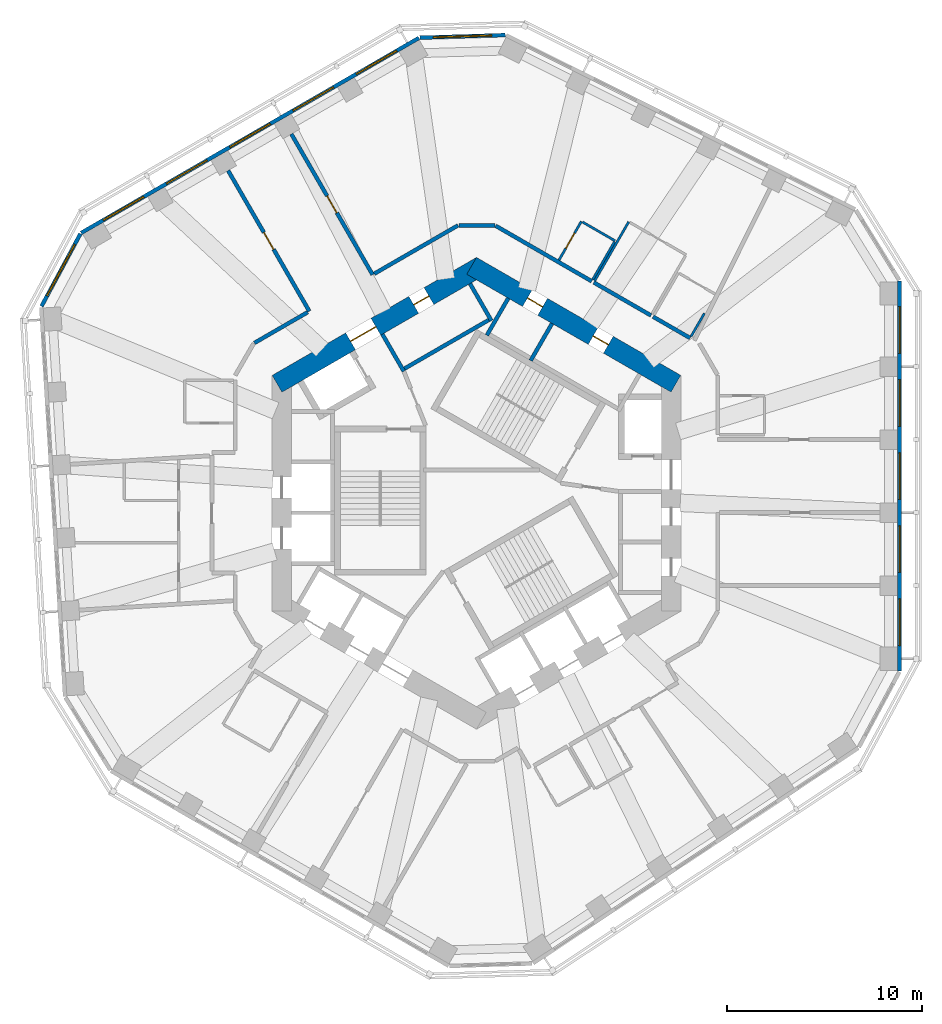
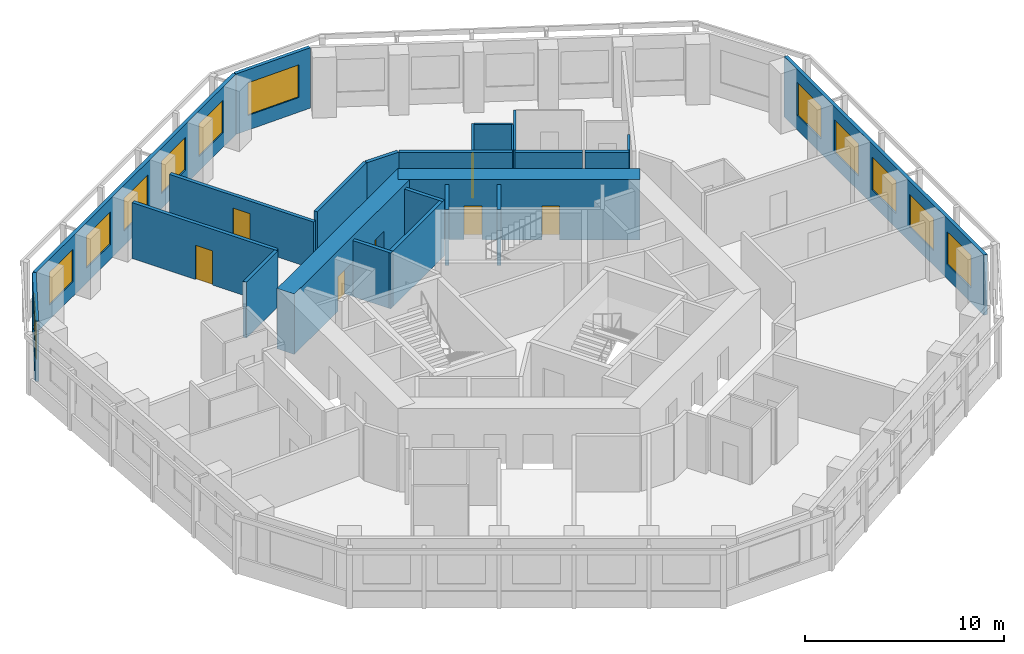
# One storey, part 7 of 11: 24 walls, 12 windows, 7 doors, 19 openings.
"""IFC4 building model written with IfcOpenShell, lengths in metres."""

from ifc_helpers import new_model, si_unit, direction, frame, frame_2d, origin, place, context, subcontext, project, spatial, rectangle, extrude, material, layer, layer_set, type_object, element, fill, save


model = new_model("IFC4")

# Units and contexts
model_context = context("Model", 3, precision=1e-05, world=origin(), true_north=direction((0.0, 1.0)))
body_context = subcontext(model_context, "Body", "Model", "MODEL_VIEW")
ifc_project = project(units=[si_unit("LENGTHUNIT", "METRE"), si_unit("AREAUNIT", "SQUARE_METRE"), si_unit("VOLUMEUNIT", "CUBIC_METRE"), si_unit("PLANEANGLEUNIT", "RADIAN"), si_unit("MASSUNIT", "GRAM", prefix="KILO")], contexts=[model_context])

# Site, building, storey
site_placement = place(None, origin())
site = spatial("IfcSite", under=ifc_project, at=site_placement, CompositionType="ELEMENT")
building_placement = place(site_placement, origin())
building = spatial("IfcBuilding", under=site, at=building_placement, Name="Vanh Sen Convention Tower", CompositionType="ELEMENT")
storey_placement = place(building_placement, frame((0.0, 0.0, 176.199951171875)))
storey = spatial("IfcBuildingStorey", under=building, at=storey_placement, Name="L43", CompositionType="ELEMENT", Elevation=176.199951171875)

# Wall, opening, door
ifc_material_1 = material(Name="Moisture-resistant gypsum board on steel studs", Category="steel")
ifc_layer_1 = layer(ifc_material_1, 0.1201171875)
ifc_layer_set_1 = layer_set([ifc_layer_1], Name="Moisture-resistant gypsum board on steel studs")
wall_type_1 = type_object("IfcWallType", Name="Bathroom partition 120", PredefinedType="PARTITIONING", material=ifc_layer_set_1)
wall_1_placement = place(storey_placement, frame((4.240234375, 11.985595703125, 0.0), z_axis=(0.0, 0.0, 1.0), x_axis=(0.499952165731, 0.866053019151, 0.0)))
wall_1 = element("IfcWall", 1, at=wall_1_placement, inside=storey, type_object=wall_type_1, Name="Bathroom partition 120", PredefinedType="PARTITIONING", context=body_context, shape_type="SweptSolid", body=[
    extrude(rectangle(XDim=2.300048828125, YDim=0.1201171875, at=frame_2d((1.14990234375, 0.0))), origin(), (0.0, 0.0, 1.0), 3.420166015625),
])
opening_1_placement = place(wall_1_placement, frame((0.699951171875, 0.0, 0.0)))
opening_1 = element("IfcOpeningElement", 2, at=opening_1_placement, cuts=wall_1, Name="Opening D41106", PredefinedType="OPENING", context=body_context, shape_type="SweptSolid", body=[
    extrude(rectangle(XDim=0.89990234375, YDim=2.10009765625, at=frame_2d((0.449951171875, 1.050048828125))), frame((0.0, 0.070068359375, 0.0), z_axis=(0.0, -1.0, 0.0), x_axis=(1.0, 0.0, 0.0)), (0.0, 0.0, 1.0), 0.14013671875),
])
ifc_material_2 = material(Name="Laminate door in steel frame", Category="steel")
door_type_1 = type_object("IfcDoorType", Name="Room internal door 900", OperationType="SINGLE_SWING_LEFT", PredefinedType="DOOR", material=ifc_material_2)
door_1_placement = place(opening_1_placement, origin())
door_1 = element("IfcDoor", 3, at=door_1_placement, inside=storey, type_object=door_type_1, Name="Internal room door D41106", OperationType="SINGLE_SWING_LEFT", OverallHeight=2.10009765625, OverallWidth=0.89990234375, PredefinedType="DOOR", context=body_context, shape_type="SweptSolid", body=[
    extrude(rectangle(XDim=0.89990234375, YDim=2.10009765625, at=frame_2d((0.449951171875, 1.050048828125))), frame((0.0, 0.02490234375, 0.0), z_axis=(0.0, -1.0, 0.0), x_axis=(1.0, 0.0, 0.0)), (0.0, 0.0, 1.0), 0.050048828125),
])
fill(opening_1, door_1)

# Walls
wall_2_placement = place(storey_placement, frame((5.442138671875, 13.947509765625, 0.0), z_axis=(0.0, 0.0, 1.0), x_axis=(0.866043088465, -0.499969367985, 0.0)))
element("IfcWall", 4, at=wall_2_placement, inside=storey, type_object=wall_type_1, Name="Bathroom partition 120", PredefinedType="PARTITIONING", context=body_context, shape_type="SweptSolid", body=[
    extrude(rectangle(XDim=1.93994140625, YDim=0.1201171875, at=frame_2d((0.969970703125, 0.0))), origin(), (0.0, 0.0, 1.0), 3.420166015625),
])
wall_3_placement = place(storey_placement, frame((6.076171875, 10.92578125, 0.0), z_axis=(0.0, 0.0, 1.0), x_axis=(0.500010275428, 0.866019471182, 0.0)))
element("IfcWall", 5, at=wall_3_placement, inside=storey, type_object=wall_type_1, Name="Bathroom partition 120", PredefinedType="PARTITIONING", context=body_context, shape_type="SweptSolid", body=[
    extrude(rectangle(XDim=3.5, YDim=0.1201171875, at=frame_2d((1.75, 0.0))), origin(), (0.0, 0.0, 1.0), 3.420166015625),
])
wall_4_placement = place(storey_placement, frame((7.09228515625, 12.925537109375, 0.0), z_axis=(0.0, 0.0, 1.0), x_axis=(-0.500030632641, -0.866007717299, 0.0)))
element("IfcWall", 6, at=wall_4_placement, inside=storey, type_object=wall_type_1, Name="Bathroom partition 120", PredefinedType="PARTITIONING", context=body_context, shape_type="SweptSolid", body=[
    extrude(rectangle(XDim=2.239990234375, YDim=0.1201171875, at=frame_2d((1.1201171875, 0.0))), origin(), (0.0, 0.0, 1.0), 3.420166015625),
])
wall_5_placement = place(storey_placement, frame((11.7138671875, 9.25048828125, 0.0), z_axis=(0.0, 0.0, 1.0), x_axis=(-0.500015945769, -0.866016197294, 0.0)))
element("IfcWall", 7, at=wall_5_placement, inside=storey, type_object=wall_type_1, Name="Bathroom partition 120", PredefinedType="PARTITIONING", context=body_context, shape_type="SweptSolid", body=[
    extrude(rectangle(XDim=1.3681640625, YDim=0.1201171875, at=frame_2d((0.68408203125, 0.0))), origin(), (0.0, 0.0, 1.0), 3.420166015625),
])

# Wall, openings, doors
ifc_material_3 = material(Name="Concrete C80/95", Category="concrete")
ifc_layer_2 = layer(ifc_material_3, 1.0)
ifc_layer_set_2 = layer_set([ifc_layer_2], Name="Concrete C80/95")
wall_type_2 = type_object("IfcWallType", Name="Core outer wall 1000 C80/95", PredefinedType="SHEAR", material=ifc_layer_set_2)
wall_6_placement = place(storey_placement, frame((10.25, 5.629150390625, 0.0), z_axis=(0.0, 0.0, 1.0), x_axis=(-0.866022616891, 0.50000482701, 0.0)))
wall_6 = element("IfcWall", 8, at=wall_6_placement, inside=storey, type_object=wall_type_2, Name="Core wall face NE L43", PredefinedType="SHEAR", context=body_context, shape_type="SweptSolid", body=[
    extrude(rectangle(XDim=12.12451171875, YDim=1.0, at=frame_2d((6.062255859375, 0.0))), origin(), (0.0, 0.0, 1.0), 3.699951171875),
])
opening_2_placement = place(wall_6_placement, frame((4.01220703125, 0.0, 0.0)))
opening_2 = element("IfcOpeningElement", 9, at=opening_2_placement, cuts=wall_6, Name="Opening D41011", PredefinedType="OPENING", context=body_context, shape_type="SweptSolid", body=[
    extrude(rectangle(XDim=0.89990234375, YDim=2.10009765625, at=frame_2d((0.449951171875, 1.050048828125))), frame((0.0, 0.510009765625, 0.0), z_axis=(0.0, -1.0, 0.0), x_axis=(1.0, 0.0, 0.0)), (0.0, 0.0, 1.0), 1.02001953125),
])
opening_3_placement = place(wall_6_placement, frame((7.912109375, 0.0, 0.0)))
opening_3 = element("IfcOpeningElement", 10, at=opening_3_placement, cuts=wall_6, Name="Opening D41012", PredefinedType="OPENING", context=body_context, shape_type="SweptSolid", body=[
    extrude(rectangle(XDim=0.89990234375, YDim=2.10009765625, at=frame_2d((0.449951171875, 1.050048828125))), frame((0.0, 0.510009765625, 0.0), z_axis=(0.0, -1.0, 0.0), x_axis=(1.0, 0.0, 0.0)), (0.0, 0.0, 1.0), 1.02001953125),
])
ifc_material_4 = material(Name="Steel S355", Category="steel")
door_type_2 = type_object("IfcDoorType", Name="Plant door 900", OperationType="SINGLE_SWING_LEFT", PredefinedType="DOOR", material=ifc_material_4)
door_2_placement = place(opening_2_placement, origin())
door_2 = element("IfcDoor", 11, at=door_2_placement, inside=storey, type_object=door_type_2, Name="Plant door D41011", OperationType="SINGLE_SWING_LEFT", OverallHeight=2.10009765625, OverallWidth=0.89990234375, PredefinedType="DOOR", context=body_context, shape_type="SweptSolid", body=[
    extrude(rectangle(XDim=0.89990234375, YDim=2.10009765625, at=frame_2d((0.449951171875, 1.050048828125))), frame((0.0, 0.02490234375, 0.0), z_axis=(0.0, -1.0, 0.0), x_axis=(1.0, 0.0, 0.0)), (0.0, 0.0, 1.0), 0.050048828125),
])
fill(opening_2, door_2)
door_3_placement = place(opening_3_placement, origin())
door_3 = element("IfcDoor", 12, at=door_3_placement, inside=storey, type_object=door_type_2, Name="Plant door D41012", OperationType="SINGLE_SWING_LEFT", OverallHeight=2.10009765625, OverallWidth=0.89990234375, PredefinedType="DOOR", context=body_context, shape_type="SweptSolid", body=[
    extrude(rectangle(XDim=0.89990234375, YDim=2.10009765625, at=frame_2d((0.449951171875, 1.050048828125))), frame((0.0, 0.02490234375, 0.0), z_axis=(0.0, -1.0, 0.0), x_axis=(1.0, 0.0, 0.0)), (0.0, 0.0, 1.0), 0.050048828125),
])
fill(opening_3, door_3)

wall_7_placement = place(storey_placement, frame((0.25, 11.69140625, 0.0), z_axis=(0.0, 0.0, 1.0), x_axis=(-0.866022616891, -0.50000482701, 0.0)))
wall_7 = element("IfcWall", 13, at=wall_7_placement, inside=storey, type_object=wall_type_2, Name="Core wall face NW L43", PredefinedType="SHEAR", context=body_context, shape_type="SweptSolid", body=[
    extrude(rectangle(XDim=12.12451171875, YDim=1.0, at=frame_2d((6.062255859375, 0.0))), origin(), (0.0, 0.0, 1.0), 3.699951171875),
])
opening_4_placement = place(wall_7_placement, frame((6.26220703125, 0.0, 0.0)))
opening_4 = element("IfcOpeningElement", 14, at=opening_4_placement, cuts=wall_7, Name="Opening D41002", PredefinedType="OPENING", context=body_context, shape_type="SweptSolid", body=[
    extrude(rectangle(XDim=1.5, YDim=2.10009765625, at=frame_2d((0.75, 1.050048828125))), frame((0.0, 0.510009765625, 0.0), z_axis=(0.0, -1.0, 0.0), x_axis=(1.0, 0.0, 0.0)), (0.0, 0.0, 1.0), 1.02001953125),
])
opening_5_placement = place(wall_7_placement, frame((3.1123046875, 0.0, 0.0)))
opening_5 = element("IfcOpeningElement", 15, at=opening_5_placement, cuts=wall_7, Name="Opening D41013", PredefinedType="OPENING", context=body_context, shape_type="SweptSolid", body=[
    extrude(rectangle(XDim=0.89990234375, YDim=2.10009765625, at=frame_2d((0.449951171875, 1.050048828125))), frame((0.0, 0.510009765625, 0.0), z_axis=(0.0, -1.0, 0.0), x_axis=(1.0, 0.0, 0.0)), (0.0, 0.0, 1.0), 1.02001953125),
])
door_4_placement = place(opening_5_placement, origin())
door_4 = element("IfcDoor", 16, at=door_4_placement, inside=storey, type_object=door_type_2, Name="Plant door D41013", OperationType="SINGLE_SWING_LEFT", OverallHeight=2.10009765625, OverallWidth=0.89990234375, PredefinedType="DOOR", context=body_context, shape_type="SweptSolid", body=[
    extrude(rectangle(XDim=0.89990234375, YDim=2.10009765625, at=frame_2d((0.449951171875, 1.050048828125))), frame((0.0, 0.02490234375, 0.0), z_axis=(0.0, -1.0, 0.0), x_axis=(1.0, 0.0, 0.0)), (0.0, 0.0, 1.0), 0.050048828125),
])
fill(opening_5, door_4)
door_type_3 = type_object("IfcDoorType", Name="Stair lobby door 1500", OperationType="DOUBLE_DOOR_SINGLE_SWING", PredefinedType="DOOR", material=ifc_material_4)
door_5_placement = place(opening_4_placement, origin())
door_5 = element("IfcDoor", 17, at=door_5_placement, inside=storey, type_object=door_type_3, Name="Stair lobby door D41002", OperationType="DOUBLE_DOOR_SINGLE_SWING", OverallHeight=2.10009765625, OverallWidth=1.5, PredefinedType="DOOR", context=body_context, shape_type="SweptSolid", body=[
    extrude(rectangle(XDim=1.5, YDim=2.10009765625, at=frame_2d((0.75, 1.050048828125))), frame((0.0, 0.02490234375, 0.0), z_axis=(0.0, -1.0, 0.0), x_axis=(1.0, 0.0, 0.0)), (0.0, 0.0, 1.0), 0.050048828125),
])
fill(opening_4, door_5)

# Wall, opening, door
ifc_material_5 = material(Name="Gypsum board on steel studs with mineral wool", Category="steel")
ifc_layer_3 = layer(ifc_material_5, 0.199951171875)
ifc_layer_set_3 = layer_set([ifc_layer_3], Name="Gypsum board on steel studs with mineral wool")
wall_type_3 = type_object("IfcWallType", Name="Corridor partition wall 200", PredefinedType="PARTITIONING", material=ifc_layer_set_3)
wall_8_placement = place(storey_placement, frame((-12.766357421875, 16.58935546875, 0.0), z_axis=(0.0, 0.0, 1.0), x_axis=(0.500010139422, -0.866019549707, 0.0)))
wall_8 = element("IfcWall", 18, at=wall_8_placement, inside=storey, type_object=wall_type_3, Name="Corridor partition wall 200", PredefinedType="PARTITIONING", context=body_context, shape_type="SweptSolid", body=[
    extrude(rectangle(XDim=8.349853515625, YDim=0.199951171875, at=frame_2d((4.1748046875, 0.0))), origin(), (0.0, 0.0, 1.0), 3.420166015625),
])
opening_6_placement = place(wall_8_placement, frame((3.675048828125, 0.0, 0.0)))
opening_6 = element("IfcOpeningElement", 19, at=opening_6_placement, cuts=wall_8, Name="Opening D41107", PredefinedType="OPENING", context=body_context, shape_type="SweptSolid", body=[
    extrude(rectangle(XDim=1.0, YDim=2.10009765625, at=frame_2d((0.5, 1.050048828125))), frame((0.0, 0.10986328125, 0.0), z_axis=(0.0, -1.0, 0.0), x_axis=(1.0, 0.0, 0.0)), (0.0, 0.0, 1.0), 0.219970703125),
])
ifc_material_6 = material(Name="Glazed fire door in steel frame", Category="steel")
door_type_4 = type_object("IfcDoorType", Name="Tenant entrance door 1000", OperationType="SINGLE_SWING_LEFT", PredefinedType="DOOR", material=ifc_material_6)
door_6_placement = place(opening_6_placement, origin())
door_6 = element("IfcDoor", 20, at=door_6_placement, inside=storey, type_object=door_type_4, Name="Tenant suite entrance door D41107", OperationType="SINGLE_SWING_LEFT", OverallHeight=2.10009765625, OverallWidth=1.0, PredefinedType="DOOR", context=body_context, shape_type="SweptSolid", body=[
    extrude(rectangle(XDim=1.0, YDim=2.10009765625, at=frame_2d((0.5, 1.050048828125))), frame((0.0, 0.02490234375, 0.0), z_axis=(0.0, -1.0, 0.0), x_axis=(1.0, 0.0, 0.0)), (0.0, 0.0, 1.0), 0.050048828125),
])
fill(opening_6, door_6)

wall_9_placement = place(storey_placement, frame((-9.51513671875, 18.46630859375, 0.0), z_axis=(0.0, 0.0, 1.0), x_axis=(0.500010139422, -0.866019549707, 0.0)))
wall_9 = element("IfcWall", 21, at=wall_9_placement, inside=storey, type_object=wall_type_3, Name="Corridor partition wall 200", PredefinedType="PARTITIONING", context=body_context, shape_type="SweptSolid", body=[
    extrude(rectangle(XDim=8.349853515625, YDim=0.199951171875, at=frame_2d((4.1748046875, 0.0))), origin(), (0.0, 0.0, 1.0), 2.8701171875),
])
opening_7_placement = place(wall_9_placement, frame((3.675048828125, 0.0, 0.0)))
opening_7 = element("IfcOpeningElement", 22, at=opening_7_placement, cuts=wall_9, Name="Opening D41103", PredefinedType="OPENING", context=body_context, shape_type="SweptSolid", body=[
    extrude(rectangle(XDim=1.0, YDim=2.10009765625, at=frame_2d((0.5, 1.050048828125))), frame((0.0, 0.10986328125, 0.0), z_axis=(0.0, -1.0, 0.0), x_axis=(1.0, 0.0, 0.0)), (0.0, 0.0, 1.0), 0.219970703125),
])
door_7_placement = place(opening_7_placement, origin())
door_7 = element("IfcDoor", 23, at=door_7_placement, inside=storey, type_object=door_type_4, Name="Tenant suite entrance door D41103", OperationType="SINGLE_SWING_LEFT", OverallHeight=2.10009765625, OverallWidth=1.0, PredefinedType="DOOR", context=body_context, shape_type="SweptSolid", body=[
    extrude(rectangle(XDim=1.0, YDim=2.10009765625, at=frame_2d((0.5, 1.050048828125))), frame((0.0, 0.02490234375, 0.0), z_axis=(0.0, -1.0, 0.0), x_axis=(1.0, 0.0, 0.0)), (0.0, 0.0, 1.0), 0.050048828125),
])
fill(opening_7, door_7)

# Walls
wall_10_placement = place(storey_placement, frame((-8.677978515625, 9.30810546875, 0.0), z_axis=(0.0, 0.0, 1.0), x_axis=(-0.866000359435, -0.500043375578, 0.0)))
element("IfcWall", 24, at=wall_10_placement, inside=storey, type_object=wall_type_3, Name="Corridor partition wall 200", PredefinedType="PARTITIONING", context=body_context, shape_type="SweptSolid", body=[
    extrude(rectangle(XDim=3.160888671875, YDim=0.199951171875, at=frame_2d((1.58056640625, 0.0))), origin(), (0.0, 0.0, 1.0), 3.420166015625),
])
wall_11_placement = place(storey_placement, frame((-0.949951171875, 13.769775390625, 0.0), z_axis=(0.0, 0.0, 1.0), x_axis=(-0.866036689987, -0.499980451214, 0.0)))
element("IfcWall", 25, at=wall_11_placement, inside=storey, type_object=wall_type_3, Name="Corridor partition wall 200", PredefinedType="PARTITIONING", context=body_context, shape_type="SweptSolid", body=[
    extrude(rectangle(XDim=4.969482421875, YDim=0.199951171875, at=frame_2d((2.48486328125, 0.0))), origin(), (0.0, 0.0, 1.0), 3.420166015625),
])
wall_12_placement = place(storey_placement, frame((0.949951171875, 13.769775390625, 0.0), z_axis=(0.0, 0.0, 1.0), x_axis=(-1.0, 0.0, 0.0)))
element("IfcWall", 26, at=wall_12_placement, inside=storey, type_object=wall_type_3, Name="Corridor partition wall 200", PredefinedType="PARTITIONING", context=body_context, shape_type="SweptSolid", body=[
    extrude(rectangle(XDim=1.85986328125, YDim=0.199951171875, at=frame_2d((0.929931640625, 0.0))), origin(), (0.0, 0.0, 1.0), 3.420166015625),
])
wall_13_placement = place(storey_placement, frame((5.922119140625, 10.899169921875, 0.0), z_axis=(0.0, 0.0, 1.0), x_axis=(-0.866031556924, 0.499989342298, 0.0)))
element("IfcWall", 27, at=wall_13_placement, inside=storey, type_object=wall_type_3, Name="Corridor partition wall 200", PredefinedType="PARTITIONING", context=body_context, shape_type="SweptSolid", body=[
    extrude(rectangle(XDim=5.701171875, YDim=0.199951171875, at=frame_2d((2.8505859375, 0.0))), origin(), (0.0, 0.0, 1.0), 3.420166015625),
])
wall_14_placement = place(storey_placement, frame((8.970703125, 9.13916015625, 0.0), z_axis=(0.0, 0.0, 1.0), x_axis=(-0.866038511948, 0.499977295307, 0.0)))
element("IfcWall", 28, at=wall_14_placement, inside=storey, type_object=wall_type_3, Name="Corridor partition wall 200", PredefinedType="PARTITIONING", context=body_context, shape_type="SweptSolid", body=[
    extrude(rectangle(XDim=3.400146484375, YDim=0.199951171875, at=frame_2d((1.7001953125, 0.0))), origin(), (0.0, 0.0, 1.0), 3.420166015625),
])
wall_15_placement = place(storey_placement, frame((10.979736328125, 7.97900390625, 0.0), z_axis=(0.0, 0.0, 1.0), x_axis=(-0.866008176907, 0.50002983664, 0.0)))
element("IfcWall", 29, at=wall_15_placement, inside=storey, type_object=wall_type_3, Name="Corridor partition wall 200", PredefinedType="PARTITIONING", context=body_context, shape_type="SweptSolid", body=[
    extrude(rectangle(XDim=2.199951171875, YDim=0.199951171875, at=frame_2d((1.10009765625, 0.0))), origin(), (0.0, 0.0, 1.0), 3.420166015625),
])

# Wall, openings, windows
ifc_material_7 = material(Name="Insulated lightweight infill wall")
ifc_layer_4 = layer(ifc_material_7, 0.199951171875)
ifc_layer_set_4 = layer_set([ifc_layer_4], Name="Insulated lightweight infill wall")
wall_type_4 = type_object("IfcWallType", Name="External wall 200", PredefinedType="STANDARD", material=ifc_layer_set_4)
wall_16_placement = place(storey_placement, frame((21.75, -9.138427734375, 0.0), z_axis=(0.0, 0.0, 1.0), x_axis=(0.0, 1.0, 0.0)))
wall_16 = element("IfcWall", 30, at=wall_16_placement, inside=storey, type_object=wall_type_4, Name="External wall E L43", PredefinedType="STANDARD", context=body_context, shape_type="SweptSolid", body=[
    extrude(rectangle(XDim=20.043701171875, YDim=0.199951171875, at=frame_2d((10.02197265625, 0.0))), origin(), (0.0, 0.0, 1.0), 3.699951171875),
])
opening_8_placement = place(wall_16_placement, frame((1.314453125, 0.0, 0.89990234375)))
opening_8 = element("IfcOpeningElement", 31, at=opening_8_placement, cuts=wall_16, Name="Opening WO1-E1", PredefinedType="OPENING", context=body_context, shape_type="SweptSolid", body=[
    extrude(rectangle(XDim=2.39990234375, YDim=2.0, at=frame_2d((1.199951171875, 1.0))), frame((0.0, 0.10986328125, 0.0), z_axis=(0.0, -1.0, 0.0), x_axis=(1.0, 0.0, 0.0)), (0.0, 0.0, 1.0), 0.219970703125),
])
opening_9_placement = place(wall_16_placement, frame((5.068603515625, 0.0, 0.89990234375)))
opening_9 = element("IfcOpeningElement", 32, at=opening_9_placement, cuts=wall_16, Name="Opening WO1-E2", PredefinedType="OPENING", context=body_context, shape_type="SweptSolid", body=[
    extrude(rectangle(XDim=2.39990234375, YDim=2.0, at=frame_2d((1.199951171875, 1.0))), frame((0.0, 0.10986328125, 0.0), z_axis=(0.0, -1.0, 0.0), x_axis=(1.0, 0.0, 0.0)), (0.0, 0.0, 1.0), 0.219970703125),
])
opening_10_placement = place(wall_16_placement, frame((8.82275390625, 0.0, 0.89990234375)))
opening_10 = element("IfcOpeningElement", 33, at=opening_10_placement, cuts=wall_16, Name="Opening WO1-E3", PredefinedType="OPENING", context=body_context, shape_type="SweptSolid", body=[
    extrude(rectangle(XDim=2.39990234375, YDim=2.0, at=frame_2d((1.199951171875, 1.0))), frame((0.0, 0.10986328125, 0.0), z_axis=(0.0, -1.0, 0.0), x_axis=(1.0, 0.0, 0.0)), (0.0, 0.0, 1.0), 0.219970703125),
])
opening_11_placement = place(wall_16_placement, frame((12.576904296875, 0.0, 0.89990234375)))
opening_11 = element("IfcOpeningElement", 34, at=opening_11_placement, cuts=wall_16, Name="Opening WO1-E4", PredefinedType="OPENING", context=body_context, shape_type="SweptSolid", body=[
    extrude(rectangle(XDim=2.39990234375, YDim=2.0, at=frame_2d((1.199951171875, 1.0))), frame((0.0, 0.10986328125, 0.0), z_axis=(0.0, -1.0, 0.0), x_axis=(1.0, 0.0, 0.0)), (0.0, 0.0, 1.0), 0.219970703125),
])
opening_12_placement = place(wall_16_placement, frame((16.330810546875, 0.0, 0.89990234375)))
opening_12 = element("IfcOpeningElement", 35, at=opening_12_placement, cuts=wall_16, Name="Opening WO1-E5", PredefinedType="OPENING", context=body_context, shape_type="SweptSolid", body=[
    extrude(rectangle(XDim=2.39990234375, YDim=2.0, at=frame_2d((1.199951171875, 1.0))), frame((0.0, 0.10986328125, 0.0), z_axis=(0.0, -1.0, 0.0), x_axis=(1.0, 0.0, 0.0)), (0.0, 0.0, 1.0), 0.219970703125),
])
ifc_material_8 = material(Name="Aluminium frame with clear low-emissivity glass", Category="aluminium")
window_type_1 = type_object("IfcWindowType", Name="Office window 2400 x 2000", PartitioningType="SINGLE_PANEL", PredefinedType="WINDOW", material=ifc_material_8)
window_1_placement = place(opening_8_placement, origin())
window_1 = element("IfcWindow", 36, at=window_1_placement, inside=storey, type_object=window_type_1, Name="Window WO1-E1", OverallHeight=2.0, OverallWidth=2.39990234375, PartitioningType="SINGLE_PANEL", PredefinedType="WINDOW", context=body_context, shape_type="SweptSolid", body=[
    extrude(rectangle(XDim=2.39990234375, YDim=2.0, at=frame_2d((1.199951171875, 1.0))), frame((0.0, 0.030029296875, 0.0), z_axis=(0.0, -1.0, 0.0), x_axis=(1.0, 0.0, 0.0)), (0.0, 0.0, 1.0), 0.06005859375),
])
fill(opening_8, window_1)
window_2_placement = place(opening_9_placement, origin())
window_2 = element("IfcWindow", 37, at=window_2_placement, inside=storey, type_object=window_type_1, Name="Window WO1-E2", OverallHeight=2.0, OverallWidth=2.39990234375, PartitioningType="SINGLE_PANEL", PredefinedType="WINDOW", context=body_context, shape_type="SweptSolid", body=[
    extrude(rectangle(XDim=2.39990234375, YDim=2.0, at=frame_2d((1.199951171875, 1.0))), frame((0.0, 0.030029296875, 0.0), z_axis=(0.0, -1.0, 0.0), x_axis=(1.0, 0.0, 0.0)), (0.0, 0.0, 1.0), 0.06005859375),
])
fill(opening_9, window_2)
window_3_placement = place(opening_10_placement, origin())
window_3 = element("IfcWindow", 38, at=window_3_placement, inside=storey, type_object=window_type_1, Name="Window WO1-E3", OverallHeight=2.0, OverallWidth=2.39990234375, PartitioningType="SINGLE_PANEL", PredefinedType="WINDOW", context=body_context, shape_type="SweptSolid", body=[
    extrude(rectangle(XDim=2.39990234375, YDim=2.0, at=frame_2d((1.199951171875, 1.0))), frame((0.0, 0.030029296875, 0.0), z_axis=(0.0, -1.0, 0.0), x_axis=(1.0, 0.0, 0.0)), (0.0, 0.0, 1.0), 0.06005859375),
])
fill(opening_10, window_3)
window_4_placement = place(opening_11_placement, origin())
window_4 = element("IfcWindow", 39, at=window_4_placement, inside=storey, type_object=window_type_1, Name="Window WO1-E4", OverallHeight=2.0, OverallWidth=2.39990234375, PartitioningType="SINGLE_PANEL", PredefinedType="WINDOW", context=body_context, shape_type="SweptSolid", body=[
    extrude(rectangle(XDim=2.39990234375, YDim=2.0, at=frame_2d((1.199951171875, 1.0))), frame((0.0, 0.030029296875, 0.0), z_axis=(0.0, -1.0, 0.0), x_axis=(1.0, 0.0, 0.0)), (0.0, 0.0, 1.0), 0.06005859375),
])
fill(opening_11, window_4)
window_5_placement = place(opening_12_placement, origin())
window_5 = element("IfcWindow", 40, at=window_5_placement, inside=storey, type_object=window_type_1, Name="Window WO1-E5", OverallHeight=2.0, OverallWidth=2.39990234375, PartitioningType="SINGLE_PANEL", PredefinedType="WINDOW", context=body_context, shape_type="SweptSolid", body=[
    extrude(rectangle(XDim=2.39990234375, YDim=2.0, at=frame_2d((1.199951171875, 1.0))), frame((0.0, 0.030029296875, 0.0), z_axis=(0.0, -1.0, 0.0), x_axis=(1.0, 0.0, 0.0)), (0.0, 0.0, 1.0), 0.06005859375),
])
fill(opening_12, window_5)

# Wall, opening, window
wall_17_placement = place(storey_placement, frame((1.478759765625, 23.552734375, 0.0), z_axis=(0.0, 0.0, 1.0), x_axis=(-0.999534786117, -0.03049936625, 0.0)))
wall_17 = element("IfcWall", 41, at=wall_17_placement, inside=storey, type_object=wall_type_4, Name="External wall CH2 L43", PredefinedType="STANDARD", context=body_context, shape_type="SweptSolid", body=[
    extrude(rectangle(XDim=4.39453125, YDim=0.199951171875, at=frame_2d((2.197265625, 0.0))), origin(), (0.0, 0.0, 1.0), 3.699951171875),
])
opening_13_placement = place(wall_17_placement, frame((0.697509765625, 0.0, 0.89990234375)))
opening_13 = element("IfcOpeningElement", 42, at=opening_13_placement, cuts=wall_17, Name="Opening WO2-CH21", PredefinedType="OPENING", context=body_context, shape_type="SweptSolid", body=[
    extrude(rectangle(XDim=3.0, YDim=2.0, at=frame_2d((1.5, 1.0))), frame((0.0, 0.10986328125, 0.0), z_axis=(0.0, -1.0, 0.0), x_axis=(1.0, 0.0, 0.0)), (0.0, 0.0, 1.0), 0.219970703125),
])
window_type_2 = type_object("IfcWindowType", Name="Office window 3000 x 2000", PartitioningType="SINGLE_PANEL", PredefinedType="WINDOW", material=ifc_material_8)
window_6_placement = place(opening_13_placement, origin())
window_6 = element("IfcWindow", 43, at=window_6_placement, inside=storey, type_object=window_type_2, Name="Window WO2-CH21", OverallHeight=2.0, OverallWidth=3.0, PartitioningType="SINGLE_PANEL", PredefinedType="WINDOW", context=body_context, shape_type="SweptSolid", body=[
    extrude(rectangle(XDim=3.0, YDim=2.0, at=frame_2d((1.5, 1.0))), frame((0.0, 0.030029296875, 0.0), z_axis=(0.0, -1.0, 0.0), x_axis=(1.0, 0.0, 0.0)), (0.0, 0.0, 1.0), 0.06005859375),
])
fill(opening_13, window_6)

# Wall, openings, windows
wall_18_placement = place(storey_placement, frame((-2.9609375, 23.4052734375, 0.0), z_axis=(0.0, 0.0, 1.0), x_axis=(-0.866023315909, -0.500003616288, 0.0)))
wall_18 = element("IfcWall", 44, at=wall_18_placement, inside=storey, type_object=wall_type_4, Name="External wall NW L43", PredefinedType="STANDARD", context=body_context, shape_type="SweptSolid", body=[
    extrude(rectangle(XDim=20.043701171875, YDim=0.199951171875, at=frame_2d((10.02197265625, 0.0))), origin(), (0.0, 0.0, 1.0), 3.699951171875),
])
opening_14_placement = place(wall_18_placement, frame((1.314453125, 0.0, 0.89990234375)))
opening_14 = element("IfcOpeningElement", 45, at=opening_14_placement, cuts=wall_18, Name="Opening WO1-NW1", PredefinedType="OPENING", context=body_context, shape_type="SweptSolid", body=[
    extrude(rectangle(XDim=2.39990234375, YDim=2.0, at=frame_2d((1.199951171875, 1.0))), frame((0.0, 0.10986328125, 0.0), z_axis=(0.0, -1.0, 0.0), x_axis=(1.0, 0.0, 0.0)), (0.0, 0.0, 1.0), 0.219970703125),
])
opening_15_placement = place(wall_18_placement, frame((5.068603515625, 0.0, 0.89990234375)))
opening_15 = element("IfcOpeningElement", 46, at=opening_15_placement, cuts=wall_18, Name="Opening WO1-NW2", PredefinedType="OPENING", context=body_context, shape_type="SweptSolid", body=[
    extrude(rectangle(XDim=2.39990234375, YDim=2.0, at=frame_2d((1.199951171875, 1.0))), frame((0.0, 0.10986328125, 0.0), z_axis=(0.0, -1.0, 0.0), x_axis=(1.0, 0.0, 0.0)), (0.0, 0.0, 1.0), 0.219970703125),
])
opening_16_placement = place(wall_18_placement, frame((8.82275390625, 0.0, 0.89990234375)))
opening_16 = element("IfcOpeningElement", 47, at=opening_16_placement, cuts=wall_18, Name="Opening WO1-NW3", PredefinedType="OPENING", context=body_context, shape_type="SweptSolid", body=[
    extrude(rectangle(XDim=2.39990234375, YDim=2.0, at=frame_2d((1.199951171875, 1.0))), frame((0.0, 0.10986328125, 0.0), z_axis=(0.0, -1.0, 0.0), x_axis=(1.0, 0.0, 0.0)), (0.0, 0.0, 1.0), 0.219970703125),
])
opening_17_placement = place(wall_18_placement, frame((12.576904296875, 0.0, 0.89990234375)))
opening_17 = element("IfcOpeningElement", 48, at=opening_17_placement, cuts=wall_18, Name="Opening WO1-NW4", PredefinedType="OPENING", context=body_context, shape_type="SweptSolid", body=[
    extrude(rectangle(XDim=2.39990234375, YDim=2.0, at=frame_2d((1.199951171875, 1.0))), frame((0.0, 0.10986328125, 0.0), z_axis=(0.0, -1.0, 0.0), x_axis=(1.0, 0.0, 0.0)), (0.0, 0.0, 1.0), 0.219970703125),
])
opening_18_placement = place(wall_18_placement, frame((16.330810546875, 0.0, 0.89990234375)))
opening_18 = element("IfcOpeningElement", 49, at=opening_18_placement, cuts=wall_18, Name="Opening WO1-NW5", PredefinedType="OPENING", context=body_context, shape_type="SweptSolid", body=[
    extrude(rectangle(XDim=2.39990234375, YDim=2.0, at=frame_2d((1.199951171875, 1.0))), frame((0.0, 0.10986328125, 0.0), z_axis=(0.0, -1.0, 0.0), x_axis=(1.0, 0.0, 0.0)), (0.0, 0.0, 1.0), 0.219970703125),
])
window_7_placement = place(opening_14_placement, origin())
window_7 = element("IfcWindow", 50, at=window_7_placement, inside=storey, type_object=window_type_1, Name="Window WO1-NW1", OverallHeight=2.0, OverallWidth=2.39990234375, PartitioningType="SINGLE_PANEL", PredefinedType="WINDOW", context=body_context, shape_type="SweptSolid", body=[
    extrude(rectangle(XDim=2.39990234375, YDim=2.0, at=frame_2d((1.199951171875, 1.0))), frame((0.0, 0.030029296875, 0.0), z_axis=(0.0, -1.0, 0.0), x_axis=(1.0, 0.0, 0.0)), (0.0, 0.0, 1.0), 0.06005859375),
])
fill(opening_14, window_7)
window_8_placement = place(opening_15_placement, origin())
window_8 = element("IfcWindow", 51, at=window_8_placement, inside=storey, type_object=window_type_1, Name="Window WO1-NW2", OverallHeight=2.0, OverallWidth=2.39990234375, PartitioningType="SINGLE_PANEL", PredefinedType="WINDOW", context=body_context, shape_type="SweptSolid", body=[
    extrude(rectangle(XDim=2.39990234375, YDim=2.0, at=frame_2d((1.199951171875, 1.0))), frame((0.0, 0.030029296875, 0.0), z_axis=(0.0, -1.0, 0.0), x_axis=(1.0, 0.0, 0.0)), (0.0, 0.0, 1.0), 0.06005859375),
])
fill(opening_15, window_8)
window_9_placement = place(opening_16_placement, origin())
window_9 = element("IfcWindow", 52, at=window_9_placement, inside=storey, type_object=window_type_1, Name="Window WO1-NW3", OverallHeight=2.0, OverallWidth=2.39990234375, PartitioningType="SINGLE_PANEL", PredefinedType="WINDOW", context=body_context, shape_type="SweptSolid", body=[
    extrude(rectangle(XDim=2.39990234375, YDim=2.0, at=frame_2d((1.199951171875, 1.0))), frame((0.0, 0.030029296875, 0.0), z_axis=(0.0, -1.0, 0.0), x_axis=(1.0, 0.0, 0.0)), (0.0, 0.0, 1.0), 0.06005859375),
])
fill(opening_16, window_9)
window_10_placement = place(opening_17_placement, origin())
window_10 = element("IfcWindow", 53, at=window_10_placement, inside=storey, type_object=window_type_1, Name="Window WO1-NW4", OverallHeight=2.0, OverallWidth=2.39990234375, PartitioningType="SINGLE_PANEL", PredefinedType="WINDOW", context=body_context, shape_type="SweptSolid", body=[
    extrude(rectangle(XDim=2.39990234375, YDim=2.0, at=frame_2d((1.199951171875, 1.0))), frame((0.0, 0.030029296875, 0.0), z_axis=(0.0, -1.0, 0.0), x_axis=(1.0, 0.0, 0.0)), (0.0, 0.0, 1.0), 0.06005859375),
])
fill(opening_17, window_10)
window_11_placement = place(opening_18_placement, origin())
window_11 = element("IfcWindow", 54, at=window_11_placement, inside=storey, type_object=window_type_1, Name="Window WO1-NW5", OverallHeight=2.0, OverallWidth=2.39990234375, PartitioningType="SINGLE_PANEL", PredefinedType="WINDOW", context=body_context, shape_type="SweptSolid", body=[
    extrude(rectangle(XDim=2.39990234375, YDim=2.0, at=frame_2d((1.199951171875, 1.0))), frame((0.0, 0.030029296875, 0.0), z_axis=(0.0, -1.0, 0.0), x_axis=(1.0, 0.0, 0.0)), (0.0, 0.0, 1.0), 0.06005859375),
])
fill(opening_18, window_11)

# Wall, opening, window
wall_19_placement = place(storey_placement, frame((-20.357421875, 13.343994140625, 0.0), z_axis=(0.0, 0.0, 1.0), x_axis=(-0.473288913494, -0.880907262068, 0.0)))
wall_19 = element("IfcWall", 55, at=wall_19_placement, inside=storey, type_object=wall_type_4, Name="External wall CH3 L43", PredefinedType="STANDARD", context=body_context, shape_type="SweptSolid", body=[
    extrude(rectangle(XDim=4.238037109375, YDim=0.199951171875, at=frame_2d((2.119140625, 0.0))), origin(), (0.0, 0.0, 1.0), 3.699951171875),
])
opening_19_placement = place(wall_19_placement, frame((0.619140625, 0.0, 0.89990234375)))
opening_19 = element("IfcOpeningElement", 56, at=opening_19_placement, cuts=wall_19, Name="Opening WO2-CH31", PredefinedType="OPENING", context=body_context, shape_type="SweptSolid", body=[
    extrude(rectangle(XDim=3.0, YDim=2.0, at=frame_2d((1.5, 1.0))), frame((0.0, 0.10986328125, 0.0), z_axis=(0.0, -1.0, 0.0), x_axis=(1.0, 0.0, 0.0)), (0.0, 0.0, 1.0), 0.219970703125),
])
window_12_placement = place(opening_19_placement, origin())
window_12 = element("IfcWindow", 57, at=window_12_placement, inside=storey, type_object=window_type_2, Name="Window WO2-CH31", OverallHeight=2.0, OverallWidth=3.0, PartitioningType="SINGLE_PANEL", PredefinedType="WINDOW", context=body_context, shape_type="SweptSolid", body=[
    extrude(rectangle(XDim=3.0, YDim=2.0, at=frame_2d((1.5, 1.0))), frame((0.0, 0.030029296875, 0.0), z_axis=(0.0, -1.0, 0.0), x_axis=(1.0, 0.0, 0.0)), (0.0, 0.0, 1.0), 0.06005859375),
])
fill(opening_19, window_12)

# Walls
ifc_material_9 = material(Name="Concrete C40/50", Category="concrete")
ifc_layer_5 = layer(ifc_material_9, 0.199951171875)
ifc_layer_set_5 = layer_set([ifc_layer_5], Name="Concrete C40/50")
wall_type_5 = type_object("IfcWallType", Name="Lift shaft wall 200", PredefinedType="PARTITIONING", material=ifc_layer_set_5)
for number, where, z_axis, x_axis, name in (
    (58, (2.783935546875, 6.822021484375, 0.0), (0.0, 0.0, 1.0), (0.50002983664, 0.866008176907, 0.0), "Lift shaft wall L43"),
    (59, (0.5322265625, 8.1220703125, 0.0), (0.0, 0.0, 1.0), (0.500077893725, 0.86598042715, 0.0), "Lift shaft wall L43"),
):
    element("IfcWall", number, at=place(storey_placement, frame(where, z_axis=z_axis, x_axis=x_axis)), inside=storey, type_object=wall_type_5, Name=name, PredefinedType="PARTITIONING", context=body_context, shape_type="SweptSolid", body=[
        extrude(rectangle(XDim=2.199951171875, YDim=0.199951171875, at=frame_2d((1.10009765625, 0.0))), origin(), (0.0, 0.0, 1.0), 3.420166015625),
    ])
wall_20_placement = place(storey_placement, frame((0.80322265625, 9.008544921875, 0.0), z_axis=(0.0, 0.0, 1.0), x_axis=(-0.866028230842, -0.499995103361, 0.0)))
element("IfcWall", 60, at=wall_20_placement, inside=storey, type_object=wall_type_5, Name="Lift shaft wall L43", PredefinedType="PARTITIONING", context=body_context, shape_type="SweptSolid", body=[
    extrude(rectangle(XDim=5.39990234375, YDim=0.199951171875, at=frame_2d((2.699951171875, 0.0))), origin(), (0.0, 0.0, 1.0), 3.420166015625),
])
wall_21_placement = place(storey_placement, frame((0.7666015625, 8.8720703125, 0.0), z_axis=(0.0, 0.0, 1.0), x_axis=(-0.499994660107, 0.866028486751, 0.0)))
element("IfcWall", 61, at=wall_21_placement, inside=storey, type_object=wall_type_5, Name="Lift shaft wall L43", PredefinedType="PARTITIONING", context=body_context, shape_type="SweptSolid", body=[
    extrude(rectangle(XDim=2.19970703125, YDim=0.199951171875, at=frame_2d((1.099853515625, 0.0))), origin(), (0.0, 0.0, 1.0), 3.420166015625),
])
wall_22_placement = place(storey_placement, frame((-3.736572265625, 6.27197265625, 0.0), z_axis=(0.0, 0.0, 1.0), x_axis=(-0.50002983664, 0.866008176907, 0.0)))
element("IfcWall", 62, at=wall_22_placement, inside=storey, type_object=wall_type_5, Name="Lift shaft wall L43", PredefinedType="PARTITIONING", context=body_context, shape_type="SweptSolid", body=[
    extrude(rectangle(XDim=2.199951171875, YDim=0.199951171875, at=frame_2d((1.10009765625, 0.0))), origin(), (0.0, 0.0, 1.0), 3.420166015625),
])

save(model, "model.ifc")
